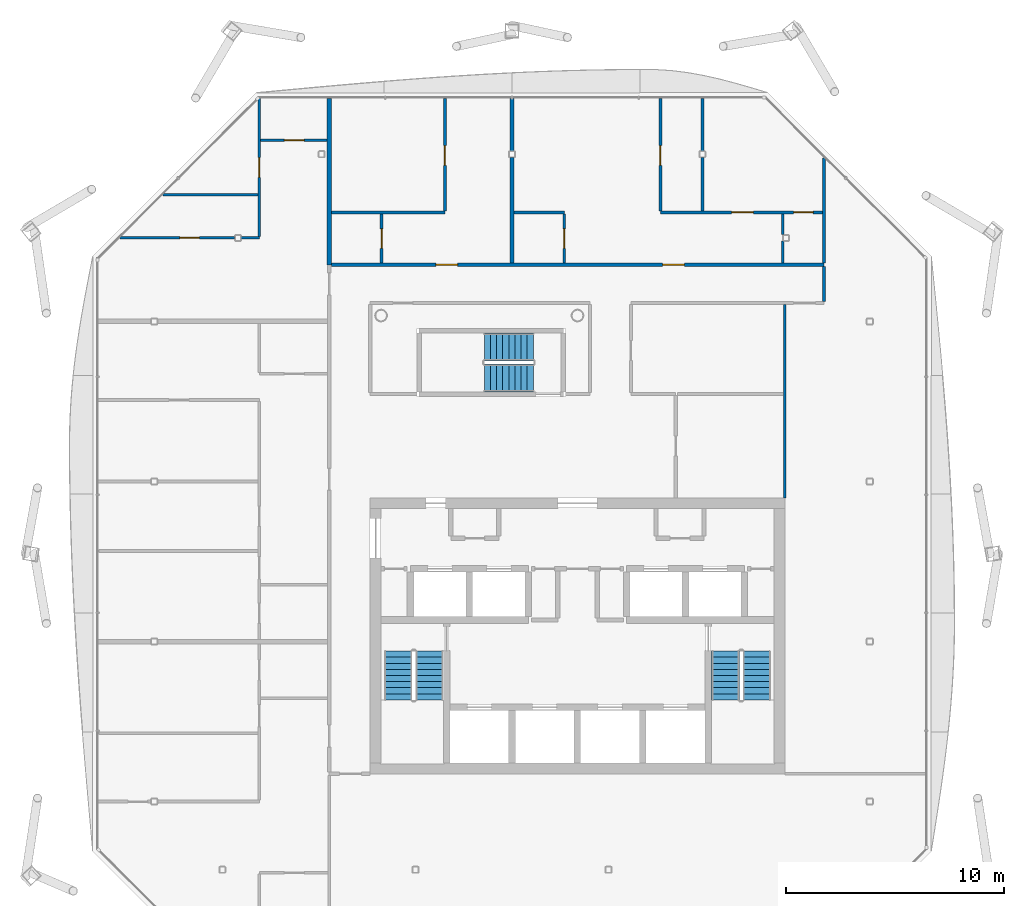
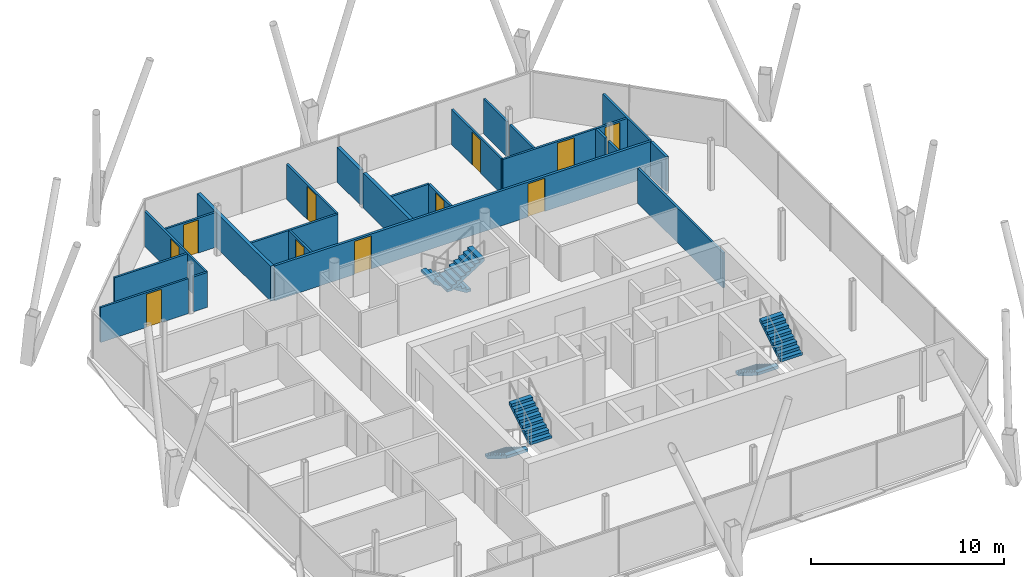
# One storey, part 14 of 18: 23 walls, 11 doors, 6 stair flights, 11 openings, 3 elements without a shape of their own.
"""IFC4 building model written with IfcOpenShell, lengths in metres."""

import ifcopenshell
import ifcopenshell.guid

model = None  # the IFC model being written
_history = None  # IfcOwnerHistory: only IFC2X3 demands one
_inside = {}  # id of a spatial element -> (the spatial element, [elements in it])
_under = {}  # id of a project, library or spatial element -> (it, [spatial elements below it])
_declared = {}  # id of a project -> (the project, [libraries it declares])
_typed = {}  # id of a type object -> (the type object, [elements of that type])
_made_of = {}  # id of a material, layer set ... -> (it, [elements and type objects made of it])


def new_model(schema):
    """Start an empty IFC model of exactly this schema.

    Asked for "IFC4X3", IfcOpenShell would pick the latest addendum, in which some entities
    have other attributes; the version numbers below select the first issue.
    IFC2X3 requires an IfcOwnerHistory on every rooted entity: one is made here for all.
    """
    global model, _history
    if schema == "IFC4X3":
        model = ifcopenshell.file(schema_version=(4, 3, 0, 0))
    else:
        model = ifcopenshell.file(schema=schema)
    _inside.clear()
    _under.clear()
    _declared.clear()
    _typed.clear()
    _made_of.clear()
    _history = None
    if model.schema == "IFC2X3":
        org = make("IfcOrganization", Name="unknown")
        user = make(
            "IfcPersonAndOrganization",
            ThePerson=make("IfcPerson", FamilyName="unknown"),
            TheOrganization=org,
        )
        app = make(
            "IfcApplication",
            ApplicationDeveloper=org,
            Version="unknown",
            ApplicationFullName="unknown",
            ApplicationIdentifier="unknown",
        )
        _history = make(
            "IfcOwnerHistory",
            OwningUser=user,
            OwningApplication=app,
            ChangeAction="ADDED",
            CreationDate=0,
        )
    return model


def make(cls, **values):
    """One entity of the class cls with the attributes given. An attribute that is None is left unset."""
    return model.create_entity(
        cls, **{name: value for name, value in values.items() if value is not None}
    )


def rooted(cls, **values):
    """An entity with a GlobalId (a new one), such as an element, a storey or a relation."""
    return make(cls, GlobalId=ifcopenshell.guid.new(), OwnerHistory=_history, **values)


def si_unit(unit_type, name, prefix=None):
    """IfcSIUnit, for example si_unit("LENGTHUNIT", "METRE", prefix="MILLI")."""
    return make("IfcSIUnit", UnitType=unit_type, Prefix=prefix, Name=name)


def assignment(units):
    """IfcUnitAssignment: the units of a project."""
    return None if units is None else make("IfcUnitAssignment", Units=units)


def point(xyz):
    """IfcCartesianPoint."""
    return None if xyz is None else make("IfcCartesianPoint", Coordinates=xyz)


def direction(xyz):
    """IfcDirection."""
    return None if xyz is None else make("IfcDirection", DirectionRatios=xyz)


def frame(location, z_axis=None, x_axis=None):
    """IfcAxis2Placement3D, a coordinate frame: its origin and axes. An axis left out is left unset."""
    return make(
        "IfcAxis2Placement3D",
        Location=point(location),
        Axis=direction(z_axis),
        RefDirection=direction(x_axis),
    )


def frame_2d(location, x_axis=None):
    """IfcAxis2Placement2D, a coordinate frame in the plane: its origin and x axis."""
    return make(
        "IfcAxis2Placement2D", Location=point(location), RefDirection=direction(x_axis)
    )


def origin():
    """The frame at (0, 0, 0) with its axes left unset."""
    return frame((0.0, 0.0, 0.0))


def place(relative_to, where):
    """IfcLocalPlacement: puts the frame where relative to a parent placement (None: the world)."""
    return make(
        "IfcLocalPlacement", PlacementRelTo=relative_to, RelativePlacement=where
    )


def context(
    kind, dimensions, precision=None, world=None, true_north=None, identifier=None
):
    """IfcGeometricRepresentationContext, for example the 3D "Model" context."""
    return make(
        "IfcGeometricRepresentationContext",
        ContextIdentifier=identifier,
        ContextType=kind,
        CoordinateSpaceDimension=dimensions,
        Precision=precision,
        WorldCoordinateSystem=world,
        TrueNorth=true_north,
    )


def subcontext(parent, identifier, kind, view, scale=None):
    """IfcGeometricRepresentationSubContext, for example "Body" below "Model"."""
    return make(
        "IfcGeometricRepresentationSubContext",
        ContextIdentifier=identifier,
        ContextType=kind,
        ParentContext=parent,
        TargetScale=scale,
        TargetView=view,
    )


def project(units=None, contexts=None):
    """IfcProject with its units and contexts."""
    return rooted(
        "IfcProject",
        Name="project",
        RepresentationContexts=contexts,
        UnitsInContext=assignment(units),
    )


def spatial(cls, under=None, at=None, **own):
    """A site, building, storey or space (cls), placed at a placement, below another one or the project."""
    s = rooted(cls, ObjectPlacement=at, **own)
    if under is not None:
        _under.setdefault(under.id(), (under, []))[1].append(s)
    return s


def polyline(points):
    """IfcPolyline through the points."""
    return make("IfcPolyline", Points=[point(p) for p in points])


def profile(cls, at=None, kind="AREA", **sizes):
    """A parametric profile (cls). Its sizes go by their IFC names, for example OverallWidth=200.0."""
    return make(cls, ProfileType=kind, Position=at, **sizes)


def rectangle(**sizes):
    """IfcRectangleProfileDef."""
    return profile("IfcRectangleProfileDef", **sizes)


def outline(outer, holes=None, kind="AREA"):
    """IfcArbitraryClosedProfileDef: a profile drawn as a closed curve; with holes, ...WithVoids."""
    if holes is None:
        return make("IfcArbitraryClosedProfileDef", ProfileType=kind, OuterCurve=outer)
    return make(
        "IfcArbitraryProfileDefWithVoids",
        ProfileType=kind,
        OuterCurve=outer,
        InnerCurves=holes,
    )


def extrude(swept, where, along, depth):
    """IfcExtrudedAreaSolid: the profile swept, set in the frame where, extruded along a direction by depth."""
    return make(
        "IfcExtrudedAreaSolid",
        SweptArea=swept,
        Position=where,
        ExtrudedDirection=direction(along),
        Depth=depth,
    )


def shape(context_of_items, identifier, shape_type, items):
    """IfcShapeRepresentation: the items that make up one representation, for example the "Body"."""
    return make(
        "IfcShapeRepresentation",
        ContextOfItems=context_of_items,
        RepresentationIdentifier=identifier,
        RepresentationType=shape_type,
        Items=items,
    )


def material(Name=None, Category=None):
    """IfcMaterial."""
    return make("IfcMaterial", Name=Name, Category=Category)


def layer(
    of_material, thickness, ventilated=None, Name=None, Category=None, Priority=None
):
    """IfcMaterialLayer: one layer of a wall or slab, of a material (None: an air gap)."""
    return make(
        "IfcMaterialLayer",
        Material=of_material,
        LayerThickness=thickness,
        IsVentilated=ventilated,
        Name=Name,
        Category=Category,
        Priority=Priority,
    )


def layer_set(layers, Name=None):
    """IfcMaterialLayerSet."""
    return make("IfcMaterialLayerSet", MaterialLayers=layers, LayerSetName=Name)


def made_of(thing, what):
    """Note that an element or type object is made of a material, layer set ...; save() writes the relation."""
    if what is not None:
        _made_of.setdefault(what.id(), (what, []))[1].append(thing)
    return thing


def type_object(cls, material=None, **own):
    """A type object (cls), such as IfcWallType, which elements share."""
    return made_of(rooted(cls, **own), material)


def element(
    cls,
    number,
    at=None,
    inside=None,
    cuts=None,
    type_object=None,
    material=None,
    context=None,
    identifier="Body",
    shape_type=None,
    held_by="IfcProductDefinitionShape",
    body=None,
    shapes=None,
    **own,
):
    """One element of the class cls, such as IfcWall. Its Tag is "e" and its number.

    at: its placement. inside: the storey or other place that contains it. cuts: it is an
    opening in that element (IfcRelVoidsElement). A single representation is given by context,
    identifier, shape_type and body (its items); several are given by shapes. held_by: the class
    of the entity that holds the representations. save() writes the other relations.
    """
    e = rooted(cls, Tag="e%d" % number, ObjectPlacement=at, **own)
    if body is not None:
        shapes = [shape(context, identifier, shape_type, body)]
    if shapes is not None:
        e.Representation = make(held_by, Representations=shapes)
    if inside is not None:
        _inside.setdefault(inside.id(), (inside, []))[1].append(e)
    if cuts is not None:
        rooted(
            "IfcRelVoidsElement", RelatingBuildingElement=cuts, RelatedOpeningElement=e
        )
    if type_object is not None:
        _typed.setdefault(type_object.id(), (type_object, []))[1].append(e)
    return made_of(e, material)


def fill(opening, filler):
    """IfcRelFillsElement: the door or window that sits in an opening."""
    return rooted(
        "IfcRelFillsElement",
        RelatingOpeningElement=opening,
        RelatedBuildingElement=filler,
    )


def aggregate(whole, parts):
    """IfcRelAggregates: a whole, such as a stair, and the parts it consists of."""
    return rooted("IfcRelAggregates", RelatingObject=whole, RelatedObjects=parts)


def save(model, path):
    """Write the relations noted so far, then the file.

    IfcRelAggregates (storeys below a building ...), IfcRelContainedInSpatialStructure (elements
    in a storey), IfcRelDefinesByType, IfcRelAssociatesMaterial and IfcRelDeclares: one each for
    every whole, place, type object, material and project.
    """
    for whole, parts in _under.values():
        aggregate(whole, parts)
    for where, things in _inside.values():
        rooted(
            "IfcRelContainedInSpatialStructure",
            RelatedElements=things,
            RelatingStructure=where,
        )
    for kind, things in _typed.values():
        rooted("IfcRelDefinesByType", RelatedObjects=things, RelatingType=kind)
    for what, things in _made_of.values():
        rooted("IfcRelAssociatesMaterial", RelatedObjects=things, RelatingMaterial=what)
    for by, libraries in _declared.values():
        rooted("IfcRelDeclares", RelatingContext=by, RelatedDefinitions=libraries)
    model.write(path)


model = new_model("IFC4")

# Units and contexts
model_context = context("Model", 3, precision=1e-05, world=origin(), true_north=direction((0.0, 1.0)))
body_context = subcontext(model_context, "Body", "Model", "MODEL_VIEW")
ifc_project = project(units=[si_unit("LENGTHUNIT", "METRE"), si_unit("AREAUNIT", "SQUARE_METRE"), si_unit("VOLUMEUNIT", "CUBIC_METRE"), si_unit("PLANEANGLEUNIT", "RADIAN"), si_unit("MASSUNIT", "GRAM", prefix="KILO")], contexts=[model_context])

# Site, building, storey
site_placement = place(None, origin())
site = spatial("IfcSite", under=ifc_project, at=site_placement, CompositionType="ELEMENT")
building_placement = place(site_placement, origin())
building = spatial("IfcBuilding", under=site, at=building_placement, Name="Tskaro Facet Tower", CompositionType="ELEMENT")
storey_placement = place(building_placement, frame((0.0, 0.0, 217.199951171875)))
storey = spatial("IfcBuildingStorey", under=building, at=storey_placement, Name="L55", CompositionType="ELEMENT", Elevation=217.199951171875)

# Wall, opening, door
ifc_material_1 = material(Name="Gypsum board on steel studs", Category="steel")
ifc_layer_1 = layer(ifc_material_1, 0.125, Name="Gypsum board on steel studs")
ifc_layer_set_1 = layer_set([ifc_layer_1], Name="Gypsum board on steel studs")
wall_type_1 = type_object("IfcWallType", Name="PART", PredefinedType="PARTITIONING", material=ifc_layer_set_1)
wall_1_placement = place(storey_placement, frame((-20.964111328125, 12.56005859375, 0.0), z_axis=(0.0, 0.0, 1.0), x_axis=(1.0, 0.0, 0.0)))
wall_1 = element("IfcWall", 1, at=wall_1_placement, inside=storey, type_object=wall_type_1, Name="Partition W039", PredefinedType="PARTITIONING", context=body_context, shape_type="SweptSolid", body=[
    extrude(rectangle(XDim=5.256103515625, YDim=0.125, at=frame_2d((2.6279296875, 0.0))), origin(), (0.0, 0.0, 1.0), 2.2099609375),
])
opening_1_placement = place(wall_1_placement, frame((2.744384765625, 0.0, 0.0)))
opening_1 = element("IfcOpeningElement", 2, at=opening_1_placement, cuts=wall_1, Name="Opening T16-D31", PredefinedType="OPENING", context=body_context, shape_type="SweptSolid", body=[
    extrude(rectangle(XDim=0.89990234375, YDim=2.10009765625, at=frame_2d((0.449951171875, 1.050048828125))), frame((0.0, 0.072509765625, 0.0), z_axis=(0.0, -1.0, 0.0), x_axis=(1.0, 0.0, 0.0)), (0.0, 0.0, 1.0), 0.14501953125),
])
ifc_material_2 = material(Name="Timber", Category="wood")
door_type_1 = type_object("IfcDoorType", Name="D-ROOM", OperationType="NOTDEFINED", PredefinedType="DOOR", material=ifc_material_2)
door_1_placement = place(opening_1_placement, origin())
door_1 = element("IfcDoor", 3, at=door_1_placement, inside=storey, type_object=door_type_1, Name="Door T16-D31", OperationType="SINGLE_SWING_LEFT", OverallHeight=2.10009765625, OverallWidth=0.89990234375, PredefinedType="DOOR", context=body_context, shape_type="SweptSolid", body=[
    extrude(rectangle(XDim=0.89990234375, YDim=2.10009765625, at=frame_2d((0.449951171875, 1.050048828125))), frame((0.0, 0.02490234375, 0.0), z_axis=(0.0, -1.0, 0.0), x_axis=(1.0, 0.0, 0.0)), (0.0, 0.0, 1.0), 0.050048828125),
])
fill(opening_1, door_1)

# Walls
wall_2_placement = place(storey_placement, frame((-15.407958984375, 12.56005859375, 0.0), z_axis=(0.0, 0.0, 1.0), x_axis=(1.0, 0.0, 0.0)))
element("IfcWall", 4, at=wall_2_placement, inside=storey, type_object=wall_type_1, Name="Partition W040", PredefinedType="PARTITIONING", context=body_context, shape_type="SweptSolid", body=[
    extrude(rectangle(XDim=0.8330078125, YDim=0.125, at=frame_2d((0.41650390625, 0.0))), origin(), (0.0, 0.0, 1.0), 2.2099609375),
])
wall_3_placement = place(storey_placement, frame((-11.27490234375, 13.72509765625, 0.0), z_axis=(0.0, 0.0, 1.0), x_axis=(1.0, 0.0, 0.0)))
element("IfcWall", 5, at=wall_3_placement, inside=storey, type_object=wall_type_1, Name="Partition W041", PredefinedType="PARTITIONING", context=body_context, shape_type="SweptSolid", body=[
    extrude(rectangle(XDim=5.199951171875, YDim=0.125, at=frame_2d((2.60009765625, 0.0))), origin(), (0.0, 0.0, 1.0), 2.2099609375),
])
wall_4_placement = place(storey_placement, frame((-2.89990234375, 13.72509765625, 0.0), z_axis=(0.0, 0.0, 1.0), x_axis=(1.0, 0.0, 0.0)))
element("IfcWall", 6, at=wall_4_placement, inside=storey, type_object=wall_type_1, Name="Partition W042", PredefinedType="PARTITIONING", context=body_context, shape_type="SweptSolid", body=[
    extrude(rectangle(XDim=2.2998046875, YDim=0.125, at=frame_2d((1.14990234375, 0.0))), origin(), (0.0, 0.0, 1.0), 2.2099609375),
])

# Wall, openings, doors
wall_5_placement = place(storey_placement, frame((3.800048828125, 13.72509765625, 0.0), z_axis=(0.0, 0.0, 1.0), x_axis=(1.0, 0.0, 0.0)))
wall_5 = element("IfcWall", 7, at=wall_5_placement, inside=storey, type_object=wall_type_1, Name="Partition W043", PredefinedType="PARTITIONING", context=body_context, shape_type="SweptSolid", body=[
    extrude(rectangle(XDim=7.4375, YDim=0.125, at=frame_2d((3.71875, 0.0))), origin(), (0.0, 0.0, 1.0), 2.2099609375),
])
opening_2_placement = place(wall_5_placement, frame((3.262451171875, 0.0, 0.0)))
opening_2 = element("IfcOpeningElement", 8, at=opening_2_placement, cuts=wall_5, Name="Opening T16-D32", PredefinedType="OPENING", context=body_context, shape_type="SweptSolid", body=[
    extrude(rectangle(XDim=1.0, YDim=2.10009765625, at=frame_2d((0.5, 1.050048828125))), frame((0.0, 0.072509765625, 0.0), z_axis=(0.0, -1.0, 0.0), x_axis=(1.0, 0.0, 0.0)), (0.0, 0.0, 1.0), 0.14501953125),
])
opening_3_placement = place(wall_5_placement, frame((6.10009765625, 0.0, 0.0)))
opening_3 = element("IfcOpeningElement", 9, at=opening_3_placement, cuts=wall_5, Name="Opening T16-D33", PredefinedType="OPENING", context=body_context, shape_type="SweptSolid", body=[
    extrude(rectangle(XDim=0.89990234375, YDim=2.10009765625, at=frame_2d((0.449951171875, 1.050048828125))), frame((0.0, 0.072509765625, 0.0), z_axis=(0.0, -1.0, 0.0), x_axis=(1.0, 0.0, 0.0)), (0.0, 0.0, 1.0), 0.14501953125),
])
door_2_placement = place(opening_3_placement, origin())
door_2 = element("IfcDoor", 10, at=door_2_placement, inside=storey, type_object=door_type_1, Name="Door T16-D33", OperationType="SINGLE_SWING_RIGHT", OverallHeight=2.10009765625, OverallWidth=0.89990234375, PredefinedType="DOOR", context=body_context, shape_type="SweptSolid", body=[
    extrude(rectangle(XDim=0.89990234375, YDim=2.10009765625, at=frame_2d((0.449951171875, 1.050048828125))), frame((0.0, 0.02490234375, 0.0), z_axis=(0.0, -1.0, 0.0), x_axis=(1.0, 0.0, 0.0)), (0.0, 0.0, 1.0), 0.050048828125),
])
fill(opening_3, door_2)
door_type_2 = type_object("IfcDoorType", Name="D-ROOM-WIDE", OperationType="NOTDEFINED", PredefinedType="DOOR", material=ifc_material_2)
door_3_placement = place(opening_2_placement, origin())
door_3 = element("IfcDoor", 11, at=door_3_placement, inside=storey, type_object=door_type_2, Name="Door T16-D32", OperationType="SINGLE_SWING_LEFT", OverallHeight=2.10009765625, OverallWidth=1.0, PredefinedType="DOOR", context=body_context, shape_type="SweptSolid", body=[
    extrude(rectangle(XDim=1.0, YDim=2.10009765625, at=frame_2d((0.5, 1.050048828125))), frame((0.0, 0.02490234375, 0.0), z_axis=(0.0, -1.0, 0.0), x_axis=(1.0, 0.0, 0.0)), (0.0, 0.0, 1.0), 0.050048828125),
])
fill(opening_2, door_3)

# Wall
wall_6_placement = place(storey_placement, frame((-18.989013671875, 14.534912109375, 0.0), z_axis=(0.0, 0.0, 1.0), x_axis=(1.0, 0.0, 0.0)))
element("IfcWall", 12, at=wall_6_placement, inside=storey, type_object=wall_type_1, Name="Partition W044", PredefinedType="PARTITIONING", context=body_context, shape_type="SweptSolid", body=[
    extrude(rectangle(XDim=4.3515625, YDim=0.125, at=frame_2d((2.17578125, 0.0))), origin(), (0.0, 0.0, 1.0), 2.2099609375),
])

# Wall, opening, door
wall_7_placement = place(storey_placement, frame((-14.512451171875, 17.034912109375, 0.0), z_axis=(0.0, 0.0, 1.0), x_axis=(1.0, 0.0, 0.0)))
wall_7 = element("IfcWall", 13, at=wall_7_placement, inside=storey, type_object=wall_type_1, Name="Partition W045", PredefinedType="PARTITIONING", context=body_context, shape_type="SweptSolid", body=[
    extrude(rectangle(XDim=3.037353515625, YDim=0.125, at=frame_2d((1.5185546875, 0.0))), origin(), (0.0, 0.0, 1.0), 2.2099609375),
])
opening_4_placement = place(wall_7_placement, frame((1.08740234375, 0.0, 0.0)))
opening_4 = element("IfcOpeningElement", 14, at=opening_4_placement, cuts=wall_7, Name="Opening T16-D37", PredefinedType="OPENING", context=body_context, shape_type="SweptSolid", body=[
    extrude(rectangle(XDim=0.89990234375, YDim=2.10009765625, at=frame_2d((0.449951171875, 1.050048828125))), frame((0.0, 0.072509765625, 0.0), z_axis=(0.0, -1.0, 0.0), x_axis=(1.0, 0.0, 0.0)), (0.0, 0.0, 1.0), 0.14501953125),
])
door_4_placement = place(opening_4_placement, origin())
door_4 = element("IfcDoor", 15, at=door_4_placement, inside=storey, type_object=door_type_1, Name="Door T16-D37", OperationType="SINGLE_SWING_LEFT", OverallHeight=2.10009765625, OverallWidth=0.89990234375, PredefinedType="DOOR", context=body_context, shape_type="SweptSolid", body=[
    extrude(rectangle(XDim=0.89990234375, YDim=2.10009765625, at=frame_2d((0.449951171875, 1.050048828125))), frame((0.0, 0.02490234375, 0.0), z_axis=(0.0, -1.0, 0.0), x_axis=(1.0, 0.0, 0.0)), (0.0, 0.0, 1.0), 0.050048828125),
])
fill(opening_4, door_4)

wall_8_placement = place(storey_placement, frame((-14.574951171875, 12.62255859375, 0.0), z_axis=(0.0, 0.0, 1.0), x_axis=(0.0, 1.0, 0.0)))
wall_8 = element("IfcWall", 16, at=wall_8_placement, inside=storey, type_object=wall_type_1, Name="Partition W049", PredefinedType="PARTITIONING", context=body_context, shape_type="SweptSolid", body=[
    extrude(rectangle(XDim=6.3125, YDim=0.125, at=frame_2d((3.15625, 0.0))), origin(), (0.0, 0.0, 1.0), 2.2099609375),
])
opening_5_placement = place(wall_8_placement, frame((2.71240234375, 0.0, 0.0)))
opening_5 = element("IfcOpeningElement", 17, at=opening_5_placement, cuts=wall_8, Name="Opening T16-D34", PredefinedType="OPENING", context=body_context, shape_type="SweptSolid", body=[
    extrude(rectangle(XDim=0.89990234375, YDim=2.10009765625, at=frame_2d((0.449951171875, 1.050048828125))), frame((0.0, 0.072509765625, 0.0), z_axis=(0.0, -1.0, 0.0), x_axis=(1.0, 0.0, 0.0)), (0.0, 0.0, 1.0), 0.14501953125),
])
door_5_placement = place(opening_5_placement, origin())
door_5 = element("IfcDoor", 18, at=door_5_placement, inside=storey, type_object=door_type_1, Name="Door T16-D34", OperationType="SINGLE_SWING_LEFT", OverallHeight=2.10009765625, OverallWidth=0.89990234375, PredefinedType="DOOR", context=body_context, shape_type="SweptSolid", body=[
    extrude(rectangle(XDim=0.89990234375, YDim=2.10009765625, at=frame_2d((0.449951171875, 1.050048828125))), frame((0.0, 0.02490234375, 0.0), z_axis=(0.0, -1.0, 0.0), x_axis=(1.0, 0.0, 0.0)), (0.0, 0.0, 1.0), 0.050048828125),
])
fill(opening_5, door_5)

wall_9_placement = place(storey_placement, frame((-8.97509765625, 11.39990234375, 0.0), z_axis=(0.0, 0.0, 1.0), x_axis=(0.0, 1.0, 0.0)))
wall_9 = element("IfcWall", 19, at=wall_9_placement, inside=storey, type_object=wall_type_1, Name="Partition W054", PredefinedType="PARTITIONING", context=body_context, shape_type="SweptSolid", body=[
    extrude(rectangle(XDim=2.2626953125, YDim=0.125, at=frame_2d((1.13134765625, 0.0))), origin(), (0.0, 0.0, 1.0), 2.2099609375),
])
opening_6_placement = place(wall_9_placement, frame((0.675048828125, 0.0, 0.0)))
opening_6 = element("IfcOpeningElement", 20, at=opening_6_placement, cuts=wall_9, Name="Opening T16-D29", PredefinedType="OPENING", context=body_context, shape_type="SweptSolid", body=[
    extrude(rectangle(XDim=0.89990234375, YDim=2.10009765625, at=frame_2d((0.449951171875, 1.050048828125))), frame((0.0, 0.072509765625, 0.0), z_axis=(0.0, -1.0, 0.0), x_axis=(1.0, 0.0, 0.0)), (0.0, 0.0, 1.0), 0.14501953125),
])
door_6_placement = place(opening_6_placement, origin())
door_6 = element("IfcDoor", 21, at=door_6_placement, inside=storey, type_object=door_type_1, Name="Door T16-D29", OperationType="SINGLE_SWING_LEFT", OverallHeight=2.10009765625, OverallWidth=0.89990234375, PredefinedType="DOOR", context=body_context, shape_type="SweptSolid", body=[
    extrude(rectangle(XDim=0.89990234375, YDim=2.10009765625, at=frame_2d((0.449951171875, 1.050048828125))), frame((0.0, 0.02490234375, 0.0), z_axis=(0.0, -1.0, 0.0), x_axis=(1.0, 0.0, 0.0)), (0.0, 0.0, 1.0), 0.050048828125),
])
fill(opening_6, door_6)

wall_10_placement = place(storey_placement, frame((-6.074951171875, 13.78759765625, 0.0), z_axis=(0.0, 0.0, 1.0), x_axis=(0.0, 1.0, 0.0)))
wall_10 = element("IfcWall", 22, at=wall_10_placement, inside=storey, type_object=wall_type_1, Name="Partition W057", PredefinedType="PARTITIONING", context=body_context, shape_type="SweptSolid", body=[
    extrude(rectangle(XDim=5.1474609375, YDim=0.125, at=frame_2d((2.57373046875, 0.0))), origin(), (0.0, 0.0, 1.0), 2.2099609375),
])
opening_7_placement = place(wall_10_placement, frame((2.092529296875, 0.0, 0.0)))
opening_7 = element("IfcOpeningElement", 23, at=opening_7_placement, cuts=wall_10, Name="Opening T16-D35", PredefinedType="OPENING", context=body_context, shape_type="SweptSolid", body=[
    extrude(rectangle(XDim=0.89990234375, YDim=2.10009765625, at=frame_2d((0.449951171875, 1.050048828125))), frame((0.0, 0.072509765625, 0.0), z_axis=(0.0, -1.0, 0.0), x_axis=(1.0, 0.0, 0.0)), (0.0, 0.0, 1.0), 0.14501953125),
])
door_7_placement = place(opening_7_placement, origin())
door_7 = element("IfcDoor", 24, at=door_7_placement, inside=storey, type_object=door_type_1, Name="Door T16-D35", OperationType="SINGLE_SWING_LEFT", OverallHeight=2.10009765625, OverallWidth=0.89990234375, PredefinedType="DOOR", context=body_context, shape_type="SweptSolid", body=[
    extrude(rectangle(XDim=0.89990234375, YDim=2.10009765625, at=frame_2d((0.449951171875, 1.050048828125))), frame((0.0, 0.02490234375, 0.0), z_axis=(0.0, -1.0, 0.0), x_axis=(1.0, 0.0, 0.0)), (0.0, 0.0, 1.0), 0.050048828125),
])
fill(opening_7, door_7)

wall_11_placement = place(storey_placement, frame((-0.60009765625, 11.39990234375, 0.0), z_axis=(0.0, 0.0, 1.0), x_axis=(0.0, 1.0, 0.0)))
wall_11 = element("IfcWall", 25, at=wall_11_placement, inside=storey, type_object=wall_type_1, Name="Partition W068", PredefinedType="PARTITIONING", context=body_context, shape_type="SweptSolid", body=[
    extrude(rectangle(XDim=2.2626953125, YDim=0.125, at=frame_2d((1.13134765625, 0.0))), origin(), (0.0, 0.0, 1.0), 2.2099609375),
])
opening_8_placement = place(wall_11_placement, frame((0.675048828125, 0.0, 0.0)))
opening_8 = element("IfcOpeningElement", 26, at=opening_8_placement, cuts=wall_11, Name="Opening T16-D30", PredefinedType="OPENING", context=body_context, shape_type="SweptSolid", body=[
    extrude(rectangle(XDim=0.89990234375, YDim=2.10009765625, at=frame_2d((0.449951171875, 1.050048828125))), frame((0.0, 0.072509765625, 0.0), z_axis=(0.0, -1.0, 0.0), x_axis=(1.0, 0.0, 0.0)), (0.0, 0.0, 1.0), 0.14501953125),
])
door_8_placement = place(opening_8_placement, origin())
door_8 = element("IfcDoor", 27, at=door_8_placement, inside=storey, type_object=door_type_1, Name="Door T16-D30", OperationType="SINGLE_SWING_LEFT", OverallHeight=2.10009765625, OverallWidth=0.89990234375, PredefinedType="DOOR", context=body_context, shape_type="SweptSolid", body=[
    extrude(rectangle(XDim=0.89990234375, YDim=2.10009765625, at=frame_2d((0.449951171875, 1.050048828125))), frame((0.0, 0.02490234375, 0.0), z_axis=(0.0, -1.0, 0.0), x_axis=(1.0, 0.0, 0.0)), (0.0, 0.0, 1.0), 0.050048828125),
])
fill(opening_8, door_8)

wall_12_placement = place(storey_placement, frame((3.800048828125, 18.93505859375, 0.0), z_axis=(0.0, 0.0, 1.0), x_axis=(0.0, -1.0, 0.0)))
wall_12 = element("IfcWall", 28, at=wall_12_placement, inside=storey, type_object=wall_type_1, Name="Partition W076", PredefinedType="PARTITIONING", context=body_context, shape_type="SweptSolid", body=[
    extrude(rectangle(XDim=5.1474609375, YDim=0.125, at=frame_2d((2.57373046875, 0.0))), origin(), (0.0, 0.0, 1.0), 2.2099609375),
])
opening_9_placement = place(wall_12_placement, frame((2.155029296875, 0.0, 0.0)))
opening_9 = element("IfcOpeningElement", 29, at=opening_9_placement, cuts=wall_12, Name="Opening T16-D36", PredefinedType="OPENING", context=body_context, shape_type="SweptSolid", body=[
    extrude(rectangle(XDim=0.89990234375, YDim=2.10009765625, at=frame_2d((0.449951171875, 1.050048828125))), frame((0.0, 0.072509765625, 0.0), z_axis=(0.0, -1.0, 0.0), x_axis=(1.0, 0.0, 0.0)), (0.0, 0.0, 1.0), 0.14501953125),
])
door_9_placement = place(opening_9_placement, origin())
door_9 = element("IfcDoor", 30, at=door_9_placement, inside=storey, type_object=door_type_1, Name="Door T16-D36", OperationType="SINGLE_SWING_RIGHT", OverallHeight=2.10009765625, OverallWidth=0.89990234375, PredefinedType="DOOR", context=body_context, shape_type="SweptSolid", body=[
    extrude(rectangle(XDim=0.89990234375, YDim=2.10009765625, at=frame_2d((0.449951171875, 1.050048828125))), frame((0.0, 0.02490234375, 0.0), z_axis=(0.0, -1.0, 0.0), x_axis=(1.0, 0.0, 0.0)), (0.0, 0.0, 1.0), 0.050048828125),
])
fill(opening_9, door_9)

# Walls
wall_13_placement = place(storey_placement, frame((5.72509765625, 13.78759765625, 0.0), z_axis=(0.0, 0.0, 1.0), x_axis=(0.0, 1.0, 0.0)))
element("IfcWall", 31, at=wall_13_placement, inside=storey, type_object=wall_type_1, Name="Partition W079", PredefinedType="PARTITIONING", context=body_context, shape_type="SweptSolid", body=[
    extrude(rectangle(XDim=2.453369140625, YDim=0.125, at=frame_2d((1.2265625, 0.0))), origin(), (0.0, 0.0, 1.0), 2.2099609375),
])
wall_14_placement = place(storey_placement, frame((5.72509765625, 16.541015625, 0.0), z_axis=(0.0, 0.0, 1.0), x_axis=(0.0, 1.0, 0.0)))
element("IfcWall", 32, at=wall_14_placement, inside=storey, type_object=wall_type_1, Name="Partition W080", PredefinedType="PARTITIONING", context=body_context, shape_type="SweptSolid", body=[
    extrude(rectangle(XDim=2.39404296875, YDim=0.125, at=frame_2d((1.197021484375, 0.0))), origin(), (0.0, 0.0, 1.0), 2.2099609375),
])
wall_15_placement = place(storey_placement, frame((9.39990234375, 11.39990234375, 0.0), z_axis=(0.0, 0.0, 1.0), x_axis=(0.0, 1.0, 0.0)))
element("IfcWall", 33, at=wall_15_placement, inside=storey, type_object=wall_type_1, Name="Partition W084", PredefinedType="PARTITIONING", context=body_context, shape_type="SweptSolid", body=[
    extrude(rectangle(XDim=1.008056640625, YDim=0.125, at=frame_2d((0.50390625, 0.0))), origin(), (0.0, 0.0, 1.0), 2.2099609375),
])
wall_16_placement = place(storey_placement, frame((9.39990234375, 12.7080078125, 0.0), z_axis=(0.0, 0.0, 1.0), x_axis=(0.0, 1.0, 0.0)))
element("IfcWall", 34, at=wall_16_placement, inside=storey, type_object=wall_type_1, Name="Partition W085", PredefinedType="PARTITIONING", context=body_context, shape_type="SweptSolid", body=[
    extrude(rectangle(XDim=0.95458984375, YDim=0.125, at=frame_2d((0.477294921875, 0.0))), origin(), (0.0, 0.0, 1.0), 2.2099609375),
])
wall_17_placement = place(storey_placement, frame((9.5, 0.64990234375, 0.0), z_axis=(0.0, 0.0, 1.0), x_axis=(0.0, 1.0, 0.0)))
element("IfcWall", 35, at=wall_17_placement, inside=storey, type_object=wall_type_1, Name="Partition W086", PredefinedType="PARTITIONING", context=body_context, shape_type="SweptSolid", body=[
    extrude(rectangle(XDim=8.85009765625, YDim=0.125, at=frame_2d((4.425048828125, 0.0))), origin(), (0.0, 0.0, 1.0), 2.2099609375),
])
wall_18_placement = place(storey_placement, frame((11.300048828125, 11.39990234375, 0.0), z_axis=(0.0, 0.0, 1.0), x_axis=(0.0, 1.0, 0.0)))
element("IfcWall", 36, at=wall_18_placement, inside=storey, type_object=wall_type_1, Name="Partition W088", PredefinedType="PARTITIONING", context=body_context, shape_type="SweptSolid", body=[
    extrude(rectangle(XDim=4.82421875, YDim=0.125, at=frame_2d((2.412109375, 0.0))), origin(), (0.0, 0.0, 1.0), 2.2099609375),
])

# Wall, openings, doors
ifc_layer_2 = layer(ifc_material_1, 0.14990234375, Name="Gypsum board on steel studs")
ifc_layer_set_2 = layer_set([ifc_layer_2], Name="Gypsum board on steel studs")
wall_type_2 = type_object("IfcWallType", Name="PART-CORR", PredefinedType="PARTITIONING", material=ifc_layer_set_2)
wall_19_placement = place(storey_placement, frame((-11.27490234375, 11.324951171875, 0.0), z_axis=(0.0, 0.0, 1.0), x_axis=(1.0, 0.0, 0.0)))
wall_19 = element("IfcWall", 37, at=wall_19_placement, inside=storey, type_object=wall_type_2, Name="Corridor wall W038", PredefinedType="PARTITIONING", context=body_context, shape_type="SweptSolid", body=[
    extrude(rectangle(XDim=22.574951171875, YDim=0.14990234375, at=frame_2d((11.28759765625, 0.0))), origin(), (0.0, 0.0, 1.0), 2.2099609375),
])
opening_10_placement = place(wall_19_placement, frame((4.78759765625, 0.0, 0.0)))
opening_10 = element("IfcOpeningElement", 38, at=opening_10_placement, cuts=wall_19, Name="Opening T16-D27", PredefinedType="OPENING", context=body_context, shape_type="SweptSolid", body=[
    extrude(rectangle(XDim=1.0, YDim=2.10009765625, at=frame_2d((0.5, 1.050048828125))), frame((0.0, 0.0849609375, 0.0), z_axis=(0.0, -1.0, 0.0), x_axis=(1.0, 0.0, 0.0)), (0.0, 0.0, 1.0), 0.169921875),
])
opening_11_placement = place(wall_19_placement, frame((15.175048828125, 0.0, 0.0)))
opening_11 = element("IfcOpeningElement", 39, at=opening_11_placement, cuts=wall_19, Name="Opening T16-D28", PredefinedType="OPENING", context=body_context, shape_type="SweptSolid", body=[
    extrude(rectangle(XDim=1.0, YDim=2.10009765625, at=frame_2d((0.5, 1.050048828125))), frame((0.0, 0.0849609375, 0.0), z_axis=(0.0, -1.0, 0.0), x_axis=(1.0, 0.0, 0.0)), (0.0, 0.0, 1.0), 0.169921875),
])
door_type_3 = type_object("IfcDoorType", Name="D-FLAT-ENTRY", OperationType="NOTDEFINED", PredefinedType="DOOR", material=ifc_material_2)
door_10_placement = place(opening_10_placement, origin())
door_10 = element("IfcDoor", 40, at=door_10_placement, inside=storey, type_object=door_type_3, Name="Door T16-D27", OperationType="SINGLE_SWING_LEFT", OverallHeight=2.10009765625, OverallWidth=1.0, PredefinedType="DOOR", context=body_context, shape_type="SweptSolid", body=[
    extrude(rectangle(XDim=1.0, YDim=2.10009765625, at=frame_2d((0.5, 1.050048828125))), frame((0.0, 0.02490234375, 0.0), z_axis=(0.0, -1.0, 0.0), x_axis=(1.0, 0.0, 0.0)), (0.0, 0.0, 1.0), 0.050048828125),
])
fill(opening_10, door_10)
door_11_placement = place(opening_11_placement, origin())
door_11 = element("IfcDoor", 41, at=door_11_placement, inside=storey, type_object=door_type_3, Name="Door T16-D28", OperationType="SINGLE_SWING_LEFT", OverallHeight=2.10009765625, OverallWidth=1.0, PredefinedType="DOOR", context=body_context, shape_type="SweptSolid", body=[
    extrude(rectangle(XDim=1.0, YDim=2.10009765625, at=frame_2d((0.5, 1.050048828125))), frame((0.0, 0.02490234375, 0.0), z_axis=(0.0, -1.0, 0.0), x_axis=(1.0, 0.0, 0.0)), (0.0, 0.0, 1.0), 0.050048828125),
])
fill(opening_11, door_11)

# Walls
wall_20_placement = place(storey_placement, frame((11.300048828125, 9.64990234375, 0.0), z_axis=(0.0, 0.0, 1.0), x_axis=(0.0, 1.0, 0.0)))
element("IfcWall", 42, at=wall_20_placement, inside=storey, type_object=wall_type_2, Name="Corridor wall W087", PredefinedType="PARTITIONING", context=body_context, shape_type="SweptSolid", body=[
    extrude(rectangle(XDim=1.60009765625, YDim=0.14990234375, at=frame_2d((0.800048828125, 0.0))), origin(), (0.0, 0.0, 1.0), 2.2099609375),
])
ifc_layer_3 = layer(ifc_material_1, 0.199951171875, Name="Gypsum board on steel studs")
ifc_layer_set_3 = layer_set([ifc_layer_3], Name="Gypsum board on steel studs")
wall_type_3 = type_object("IfcWallType", Name="PART-DEMISING", PredefinedType="PARTITIONING", material=ifc_layer_set_3)
wall_21_placement = place(storey_placement, frame((-11.375, 11.324951171875, 0.0), z_axis=(0.0, 0.0, 1.0), x_axis=(0.0, 1.0, 0.0)))
element("IfcWall", 43, at=wall_21_placement, inside=storey, type_object=wall_type_3, Name="Guest room wall W052", PredefinedType="PARTITIONING", context=body_context, shape_type="SweptSolid", body=[
    extrude(rectangle(XDim=7.610107421875, YDim=0.199951171875, at=frame_2d((3.80517578125, 0.0))), origin(), (0.0, 0.0, 1.0), 2.2099609375),
])
wall_22_placement = place(storey_placement, frame((-3.0, 11.39990234375, 0.0), z_axis=(0.0, 0.0, 1.0), x_axis=(0.0, 1.0, 0.0)))
element("IfcWall", 44, at=wall_22_placement, inside=storey, type_object=wall_type_3, Name="Guest room wall W063", PredefinedType="PARTITIONING", context=body_context, shape_type="SweptSolid", body=[
    extrude(rectangle(XDim=4.841064453125, YDim=0.199951171875, at=frame_2d((2.42041015625, 0.0))), origin(), (0.0, 0.0, 1.0), 2.2099609375),
])
wall_23_placement = place(storey_placement, frame((-3.0, 16.541015625, 0.0), z_axis=(0.0, 0.0, 1.0), x_axis=(0.0, 1.0, 0.0)))
element("IfcWall", 45, at=wall_23_placement, inside=storey, type_object=wall_type_3, Name="Guest room wall W064", PredefinedType="PARTITIONING", context=body_context, shape_type="SweptSolid", body=[
    extrude(rectangle(XDim=2.39404296875, YDim=0.199951171875, at=frame_2d((1.197021484375, 0.0))), origin(), (0.0, 0.0, 1.0), 2.2099609375),
])

# Stair, stair flights
ifc_material_3 = material(Name="Concrete C40/50", Category="concrete")
stair_type = type_object("IfcStairType", Name="ST-TWR", PredefinedType="HALF_TURN_STAIR", material=ifc_material_3)
stair_1_placement = place(storey_placement, origin())
stair_1 = element("IfcStair", 46, at=stair_1_placement, inside=storey, type_object=stair_type, Name="L55 Exit stair 1", PredefinedType="HALF_TURN_STAIR")
stair_flight_type = type_object("IfcStairFlightType", Name="SFL-RC", PredefinedType="STRAIGHT", material=ifc_material_3)
stair_flight_1_placement = place(storey_placement, frame((-8.21240234375, -6.375, 0.0), z_axis=(0.0, 0.0, 1.0), x_axis=(0.0, -1.0, 0.0)))
stair_flight_1 = element("IfcStairFlight", 47, at=stair_flight_1_placement, type_object=stair_flight_type, Name="ST-1 flight 1", NumberOfRisers=9, NumberOfTreads=8, PredefinedType="STRAIGHT", RiserHeight=0.175, TreadLength=0.28, context=body_context, shape_type="SweptSolid", body=[
    extrude(outline(polyline([(0.0, 0.0), (0.0, 0.175048828125), (0.280029296875, 0.175048828125), (0.280029296875, 0.35009765625), (0.56005859375, 0.35009765625), (0.56005859375, 0.52490234375), (0.840087890625, 0.52490234375), (0.840087890625, 0.699951171875), (1.1201171875, 0.699951171875), (1.1201171875, 0.875), (1.39990234375, 0.875), (1.39990234375, 1.050048828125), (1.679931640625, 1.050048828125), (1.679931640625, 1.22509765625), (1.9599609375, 1.22509765625), (1.9599609375, 1.39990234375), (2.239990234375, 1.39990234375), (2.239990234375, 1.574951171875), (2.239990234375, 1.22314453125), (0.28271484375, 0.0), (0.0, 0.0)])), frame((0.0, 0.637451171875, 0.0), z_axis=(0.0, -1.0, 0.0), x_axis=(1.0, 0.0, 0.0)), (0.0, 0.0, 1.0), 1.27490234375),
])
stair_flight_2_placement = place(storey_placement, frame((-6.78759765625, -8.614990234375, 1.574951171875), z_axis=(0.0, 0.0, 1.0), x_axis=(0.0, 1.0, 0.0)))
stair_flight_2 = element("IfcStairFlight", 48, at=stair_flight_2_placement, type_object=stair_flight_type, Name="ST-1 flight 2", NumberOfRisers=9, NumberOfTreads=8, PredefinedType="STRAIGHT", RiserHeight=0.175, TreadLength=0.28, context=body_context, shape_type="SweptSolid", body=[
    extrude(outline(polyline([(0.0, 0.0), (0.0, 0.175048828125), (0.280029296875, 0.175048828125), (0.280029296875, 0.35009765625), (0.56005859375, 0.35009765625), (0.56005859375, 0.52490234375), (0.840087890625, 0.52490234375), (0.840087890625, 0.699951171875), (1.1201171875, 0.699951171875), (1.1201171875, 0.875), (1.39990234375, 0.875), (1.39990234375, 1.050048828125), (1.679931640625, 1.050048828125), (1.679931640625, 1.22509765625), (1.9599609375, 1.22509765625), (1.9599609375, 1.39990234375), (2.239990234375, 1.39990234375), (2.239990234375, 1.574951171875), (2.239990234375, 1.22314453125), (0.28271484375, 0.0), (0.0, 0.0)])), frame((0.0, 0.637451171875, 0.0), z_axis=(0.0, -1.0, 0.0), x_axis=(1.0, 0.0, 0.0)), (0.0, 0.0, 1.0), 1.27490234375),
])
aggregate(stair_1, [stair_flight_1, stair_flight_2])

stair_2_placement = place(storey_placement, origin())
stair_2 = element("IfcStair", 49, at=stair_2_placement, inside=storey, type_object=stair_type, Name="L55 Exit stair 2", PredefinedType="HALF_TURN_STAIR")
stair_flight_3_placement = place(storey_placement, frame((6.78759765625, -6.375, 0.0), z_axis=(0.0, 0.0, 1.0), x_axis=(0.0, -1.0, 0.0)))
stair_flight_3 = element("IfcStairFlight", 50, at=stair_flight_3_placement, type_object=stair_flight_type, Name="ST-2 flight 1", NumberOfRisers=9, NumberOfTreads=8, PredefinedType="STRAIGHT", RiserHeight=0.175, TreadLength=0.28, context=body_context, shape_type="SweptSolid", body=[
    extrude(outline(polyline([(0.0, 0.0), (0.0, 0.175048828125), (0.280029296875, 0.175048828125), (0.280029296875, 0.35009765625), (0.56005859375, 0.35009765625), (0.56005859375, 0.52490234375), (0.840087890625, 0.52490234375), (0.840087890625, 0.699951171875), (1.1201171875, 0.699951171875), (1.1201171875, 0.875), (1.39990234375, 0.875), (1.39990234375, 1.050048828125), (1.679931640625, 1.050048828125), (1.679931640625, 1.22509765625), (1.9599609375, 1.22509765625), (1.9599609375, 1.39990234375), (2.239990234375, 1.39990234375), (2.239990234375, 1.574951171875), (2.239990234375, 1.22314453125), (0.28271484375, 0.0), (0.0, 0.0)])), frame((0.0, 0.637451171875, 0.0), z_axis=(0.0, -1.0, 0.0), x_axis=(1.0, 0.0, 0.0)), (0.0, 0.0, 1.0), 1.27490234375),
])
stair_flight_4_placement = place(storey_placement, frame((8.21240234375, -8.614990234375, 1.574951171875), z_axis=(0.0, 0.0, 1.0), x_axis=(0.0, 1.0, 0.0)))
stair_flight_4 = element("IfcStairFlight", 51, at=stair_flight_4_placement, type_object=stair_flight_type, Name="ST-2 flight 2", NumberOfRisers=9, NumberOfTreads=8, PredefinedType="STRAIGHT", RiserHeight=0.175, TreadLength=0.28, context=body_context, shape_type="SweptSolid", body=[
    extrude(outline(polyline([(0.0, 0.0), (0.0, 0.175048828125), (0.280029296875, 0.175048828125), (0.280029296875, 0.35009765625), (0.56005859375, 0.35009765625), (0.56005859375, 0.52490234375), (0.840087890625, 0.52490234375), (0.840087890625, 0.699951171875), (1.1201171875, 0.699951171875), (1.1201171875, 0.875), (1.39990234375, 0.875), (1.39990234375, 1.050048828125), (1.679931640625, 1.050048828125), (1.679931640625, 1.22509765625), (1.9599609375, 1.22509765625), (1.9599609375, 1.39990234375), (2.239990234375, 1.39990234375), (2.239990234375, 1.574951171875), (2.239990234375, 1.22314453125), (0.28271484375, 0.0), (0.0, 0.0)])), frame((0.0, 0.637451171875, 0.0), z_axis=(0.0, -1.0, 0.0), x_axis=(1.0, 0.0, 0.0)), (0.0, 0.0, 1.0), 1.27490234375),
])
aggregate(stair_2, [stair_flight_3, stair_flight_4])

stair_3_placement = place(storey_placement, origin())
stair_3 = element("IfcStair", 52, at=stair_3_placement, inside=storey, type_object=stair_type, Name="L55 Exit stair 3", PredefinedType="HALF_TURN_STAIR")
stair_flight_5_placement = place(storey_placement, frame((-2.02490234375, 7.5625, 0.0), z_axis=(0.0, 0.0, 1.0), x_axis=(-1.0, 0.0, 0.0)))
stair_flight_5 = element("IfcStairFlight", 53, at=stair_flight_5_placement, type_object=stair_flight_type, Name="ST-3 flight 1", NumberOfRisers=9, NumberOfTreads=8, PredefinedType="STRAIGHT", RiserHeight=0.175, TreadLength=0.28, context=body_context, shape_type="SweptSolid", body=[
    extrude(outline(polyline([(0.0, 0.0), (0.0, 0.175048828125), (0.280029296875, 0.175048828125), (0.280029296875, 0.35009765625), (0.56005859375, 0.35009765625), (0.56005859375, 0.52490234375), (0.840087890625, 0.52490234375), (0.840087890625, 0.699951171875), (1.1201171875, 0.699951171875), (1.1201171875, 0.875), (1.39990234375, 0.875), (1.39990234375, 1.050048828125), (1.679931640625, 1.050048828125), (1.679931640625, 1.22509765625), (1.9599609375, 1.22509765625), (1.9599609375, 1.39990234375), (2.239990234375, 1.39990234375), (2.239990234375, 1.574951171875), (2.239990234375, 1.22314453125), (0.28271484375, 0.0), (0.0, 0.0)])), frame((0.0, 0.637451171875, 0.0), z_axis=(0.0, -1.0, 0.0), x_axis=(1.0, 0.0, 0.0)), (0.0, 0.0, 1.0), 1.27490234375),
])
stair_flight_6_placement = place(storey_placement, frame((-4.264892578125, 6.137451171875, 1.574951171875), z_axis=(0.0, 0.0, 1.0), x_axis=(1.0, 0.0, 0.0)))
stair_flight_6 = element("IfcStairFlight", 54, at=stair_flight_6_placement, type_object=stair_flight_type, Name="ST-3 flight 2", NumberOfRisers=9, NumberOfTreads=8, PredefinedType="STRAIGHT", RiserHeight=0.175, TreadLength=0.28, context=body_context, shape_type="SweptSolid", body=[
    extrude(outline(polyline([(0.0, 0.0), (0.0, 0.175048828125), (0.280029296875, 0.175048828125), (0.280029296875, 0.35009765625), (0.56005859375, 0.35009765625), (0.56005859375, 0.52490234375), (0.840087890625, 0.52490234375), (0.840087890625, 0.699951171875), (1.1201171875, 0.699951171875), (1.1201171875, 0.875), (1.39990234375, 0.875), (1.39990234375, 1.050048828125), (1.679931640625, 1.050048828125), (1.679931640625, 1.22509765625), (1.9599609375, 1.22509765625), (1.9599609375, 1.39990234375), (2.239990234375, 1.39990234375), (2.239990234375, 1.574951171875), (2.239990234375, 1.22314453125), (0.28271484375, 0.0), (0.0, 0.0)])), frame((0.0, 0.637451171875, 0.0), z_axis=(0.0, -1.0, 0.0), x_axis=(1.0, 0.0, 0.0)), (0.0, 0.0, 1.0), 1.27490234375),
])
aggregate(stair_3, [stair_flight_5, stair_flight_6])

save(model, "model.ifc")
